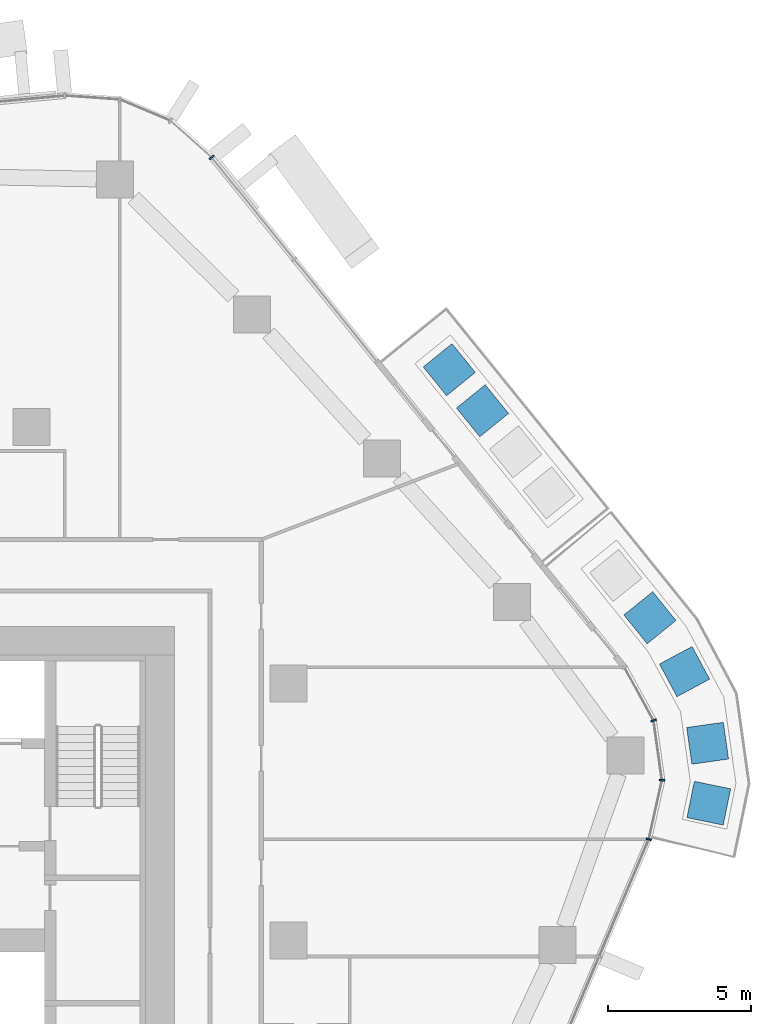
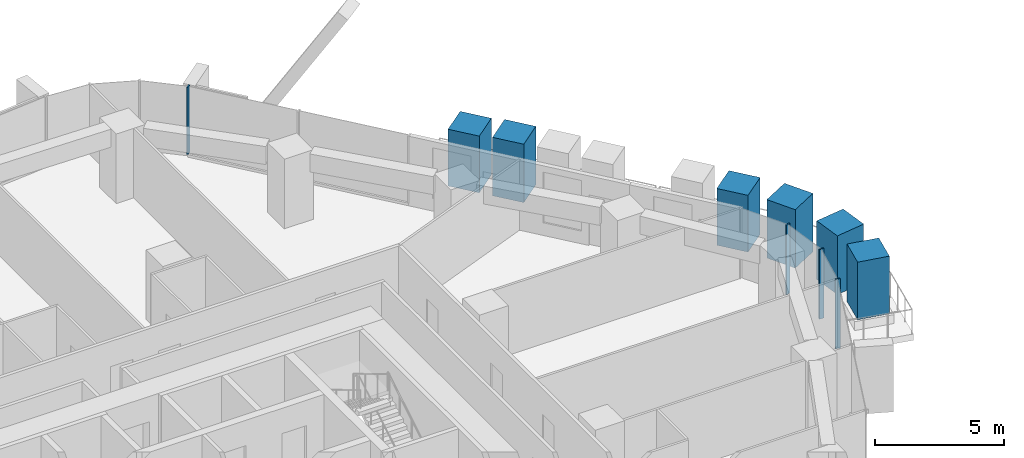
# One storey, part 9 of 23: 10 members, 2 elements without a shape of their own.
"""IFC4 building model written with IfcOpenShell, lengths in metres."""

from ifc_helpers import new_model, si_unit, direction, frame, origin, origin_2d, place, context, subcontext, project, spatial, rectangle, extrude, material, layer, layer_set, material_profile, profile_set, type_object, element, aggregate, save


model = new_model("IFC4")

# Units and contexts
model_context = context("Model", 3, precision=1e-05, world=origin(), true_north=direction((0.0, 1.0)))
body_context = subcontext(model_context, "Body", "Model", "MODEL_VIEW")
ifc_project = project(units=[si_unit("LENGTHUNIT", "METRE"), si_unit("AREAUNIT", "SQUARE_METRE"), si_unit("VOLUMEUNIT", "CUBIC_METRE"), si_unit("PLANEANGLEUNIT", "RADIAN"), si_unit("MASSUNIT", "GRAM", prefix="KILO")], contexts=[model_context])

# Site, building, storey
site_placement = place(None, origin())
site = spatial("IfcSite", under=ifc_project, at=site_placement, CompositionType="ELEMENT")
building_placement = place(site_placement, origin())
building = spatial("IfcBuilding", under=site, at=building_placement, Name="Dongbaek Canopy Tower", CompositionType="ELEMENT")
storey_placement = place(building_placement, frame((0.0, 0.0, 121.10009765625)))
storey = spatial("IfcBuildingStorey", under=building, at=storey_placement, Name="L26", CompositionType="ELEMENT", Elevation=121.10009765625)

# Curtain wall, members
ifc_material_1 = material(Name="Aluminium 6063-T6 pale anodised", Category="aluminium")
ifc_layer = layer(ifc_material_1, 0.199951171875)
ifc_layer_set = layer_set([ifc_layer], Name="CW-1 unitised tower curtain wall")
curtain_wall_type = type_object("IfcCurtainWallType", Name="CW-1 unitised tower curtain wall", PredefinedType="NOTDEFINED", material=ifc_layer_set)
curtain_wall_1_placement = place(storey_placement, origin())
curtain_wall_1 = element("IfcCurtainWall", 1, at=curtain_wall_1_placement, inside=storey, type_object=curtain_wall_type, Name="CW-1 curtain wall K0.1", PredefinedType="NOTDEFINED")
ifc_material_2 = material(Name="Aluminium 6063-T6 pale anodised", Category="aluminium")
ifc_material_profile_1 = material_profile(ifc_material_2, rectangle(XDim=0.199951171875, YDim=0.06005859375, at=origin_2d()), Name="CW-1 mullion 60 x 200")
ifc_profile_set_1 = profile_set([ifc_material_profile_1], Name="Aluminium 6063-T6 pale anodised")
member_type_1 = type_object("IfcMemberType", Name="CW-1 mullion 60 x 200", PredefinedType="MULLION", material=ifc_profile_set_1)
member_1_placement = place(storey_placement, frame((30.633544921875, 3.544677734375, 0.0), z_axis=(0.0, 0.0, 1.0), x_axis=(0.975873037295, -0.218338762206, 0.0)))
member_1 = element("IfcMember", 2, at=member_1_placement, type_object=member_type_1, Name="CW-1 mullion K0.1.1", PredefinedType="MULLION", context=body_context, shape_type="SweptSolid", body=[
    extrude(rectangle(XDim=0.199951171875, YDim=0.06005859375, at=origin_2d()), origin(), (0.0, 0.0, 1.0), 3.2998046875),
])
member_2_placement = place(storey_placement, frame((31.09716796875, 5.616455078125, 0.0), z_axis=(0.0, 0.0, 1.0), x_axis=(0.999201762695, -0.039947933954, 0.0)))
member_2 = element("IfcMember", 3, at=member_2_placement, type_object=member_type_1, Name="CW-1 mullion K0.1.2", PredefinedType="MULLION", context=body_context, shape_type="SweptSolid", body=[
    extrude(rectangle(XDim=0.199951171875, YDim=0.06005859375, at=origin_2d()), origin(), (0.0, 0.0, 1.0), 3.2998046875),
])
member_3_placement = place(storey_placement, frame((30.8017578125, 7.70947265625, 0.0), z_axis=(0.0, 0.0, 1.0), x_axis=(0.949125900251, 0.314896848942, 0.0)))
member_3 = element("IfcMember", 4, at=member_3_placement, type_object=member_type_1, Name="CW-1 mullion K0.1.3", PredefinedType="MULLION", context=body_context, shape_type="SweptSolid", body=[
    extrude(rectangle(XDim=0.199951171875, YDim=0.06005859375, at=origin_2d()), origin(), (0.0, 0.0, 1.0), 3.2998046875),
])
aggregate(curtain_wall_1, [member_1, member_2, member_3])

# Curtain wall, member
curtain_wall_2_placement = place(storey_placement, origin())
curtain_wall_2 = element("IfcCurtainWall", 5, at=curtain_wall_2_placement, inside=storey, type_object=curtain_wall_type, Name="CW-1 curtain wall F0.1", PredefinedType="NOTDEFINED")
member_4_placement = place(storey_placement, frame((15.31201171875, 27.443115234375, 0.119873046875), z_axis=(0.0, 0.0, 1.0), x_axis=(0.777161000453, 0.629301818982, 0.0)))
member_4 = element("IfcMember", 6, at=member_4_placement, type_object=member_type_1, Name="CW-1 mullion F0.1.3", PredefinedType="MULLION", context=body_context, shape_type="SweptSolid", body=[
    extrude(rectangle(XDim=0.199951171875, YDim=0.06005859375, at=origin_2d()), origin(), (0.0, 0.0, 1.0), 3.179931640625),
])
aggregate(curtain_wall_2, [member_4])

# Members
ifc_material_3 = material(Name="Concrete C40/50 planter mass with planting", Category="concrete")
ifc_material_profile_2 = material_profile(ifc_material_3, rectangle(XDim=1.300048828125, YDim=1.300048828125, at=origin_2d()), Name="Terrace PLANTER shrub mass 1300 x 1300")
ifc_profile_set_2 = profile_set([ifc_material_profile_2], Name="Concrete C40/50 planter mass with planting")
member_type_2 = type_object("IfcMemberType", Name="Terrace PLANTER shrub mass 1300 x 1300", PredefinedType="USERDEFINED", material=ifc_profile_set_2)
member_5_placement = place(storey_placement, frame((24.8046875, 18.564697265625, 0.419921875), z_axis=(0.0, 0.0, 1.0), x_axis=(0.777161000453, 0.629301818982, 0.0)))
element("IfcMember", 7, at=member_5_placement, inside=storey, type_object=member_type_2, Name="Planter shrubs L26 1.3", ObjectType="PLANTER", PredefinedType="USERDEFINED", context=body_context, shape_type="SweptSolid", body=[
    extrude(rectangle(XDim=1.300048828125, YDim=1.300048828125, at=origin_2d()), origin(), (0.0, 0.0, 1.0), 2.77001953125),
])
member_6_placement = place(storey_placement, frame((23.6396484375, 20.00341796875, 0.419921875), z_axis=(0.0, 0.0, 1.0), x_axis=(0.777161000453, 0.629301818982, 0.0)))
element("IfcMember", 8, at=member_6_placement, inside=storey, type_object=member_type_2, Name="Planter shrubs L26 1.4", ObjectType="PLANTER", PredefinedType="USERDEFINED", context=body_context, shape_type="SweptSolid", body=[
    extrude(rectangle(XDim=1.300048828125, YDim=1.300048828125, at=origin_2d()), origin(), (0.0, 0.0, 1.0), 2.68994140625),
])
member_7_placement = place(storey_placement, frame((32.736572265625, 4.80859375, 0.419921875), z_axis=(0.0, 0.0, 1.0), x_axis=(0.979684071399, -0.200547052449, 0.0)))
element("IfcMember", 9, at=member_7_placement, inside=storey, type_object=member_type_2, Name="Planter shrubs L26 5.1", ObjectType="PLANTER", PredefinedType="USERDEFINED", context=body_context, shape_type="SweptSolid", body=[
    extrude(rectangle(XDim=1.300048828125, YDim=1.300048828125, at=origin_2d()), origin(), (0.0, 0.0, 1.0), 2.72998046875),
])
member_8_placement = place(storey_placement, frame((32.69482421875, 6.909423828125, 0.419921875), z_axis=(0.0, 0.0, 1.0), x_axis=(0.990188808024, 0.139735909712, 0.0)))
element("IfcMember", 10, at=member_8_placement, inside=storey, type_object=member_type_2, Name="Planter shrubs L26 5.2", ObjectType="PLANTER", PredefinedType="USERDEFINED", context=body_context, shape_type="SweptSolid", body=[
    extrude(rectangle(XDim=1.300048828125, YDim=1.300048828125, at=origin_2d()), origin(), (0.0, 0.0, 1.0), 2.780029296875),
])
member_9_placement = place(storey_placement, frame((31.88623046875, 9.42138671875, 0.419921875), z_axis=(0.0, 0.0, 1.0), x_axis=(0.881090972303, 0.472946824206, 0.0)))
element("IfcMember", 11, at=member_9_placement, inside=storey, type_object=member_type_2, Name="Planter shrubs L26 5.3", ObjectType="PLANTER", PredefinedType="USERDEFINED", context=body_context, shape_type="SweptSolid", body=[
    extrude(rectangle(XDim=1.300048828125, YDim=1.300048828125, at=origin_2d()), origin(), (0.0, 0.0, 1.0), 2.77001953125),
])
member_10_placement = place(storey_placement, frame((30.673095703125, 11.309326171875, 0.419921875), z_axis=(0.0, 0.0, 1.0), x_axis=(0.778293029355, 0.627901234637, 0.0)))
element("IfcMember", 12, at=member_10_placement, inside=storey, type_object=member_type_2, Name="Planter shrubs L26 5.4", ObjectType="PLANTER", PredefinedType="USERDEFINED", context=body_context, shape_type="SweptSolid", body=[
    extrude(rectangle(XDim=1.300048828125, YDim=1.300048828125, at=origin_2d()), origin(), (0.0, 0.0, 1.0), 2.68994140625),
])

save(model, "model.ifc")
